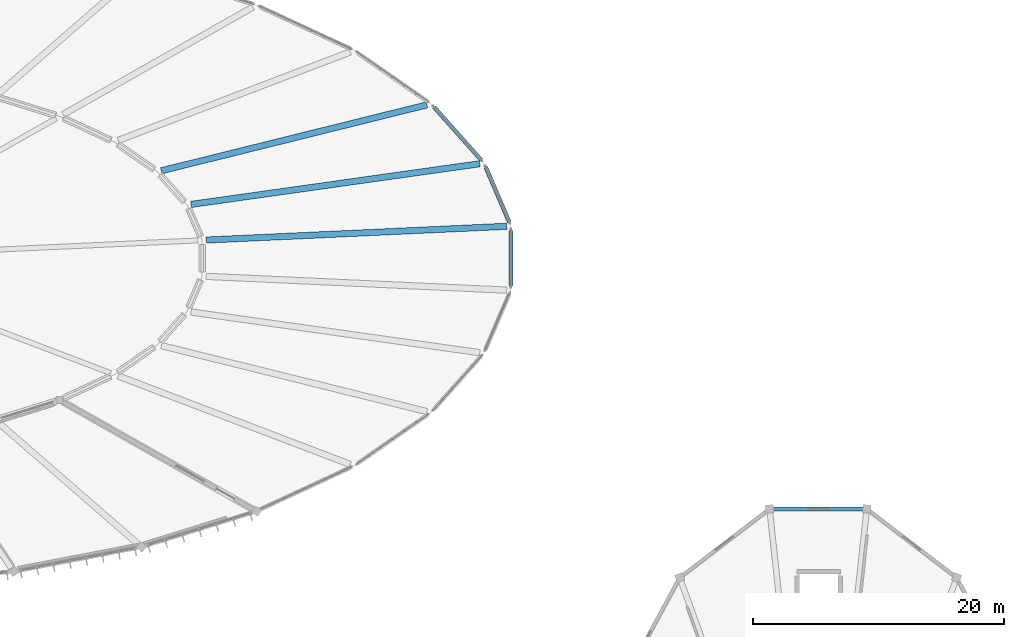
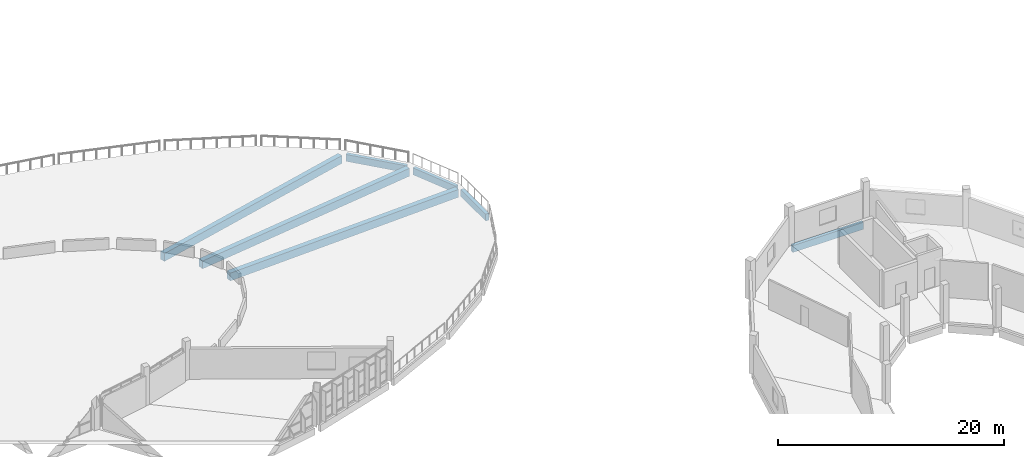
# One storey, part 64 of 142: 7 beams.
"""IFC4 building model written with IfcOpenShell, lengths in metres."""

from ifc_helpers import new_model, si_unit, direction, frame, origin, origin_2d, place, context, subcontext, project, spatial, rectangle, extrude, material, material_profile, profile_set, type_object, element, save


model = new_model("IFC4")

# Units and contexts
model_context = context("Model", 3, precision=1e-05, world=origin(), true_north=direction((0.0, 1.0)))
body_context = subcontext(model_context, "Body", "Model", "MODEL_VIEW")
ifc_project = project(units=[si_unit("LENGTHUNIT", "METRE"), si_unit("AREAUNIT", "SQUARE_METRE"), si_unit("VOLUMEUNIT", "CUBIC_METRE"), si_unit("PLANEANGLEUNIT", "RADIAN"), si_unit("MASSUNIT", "GRAM", prefix="KILO")], contexts=[model_context])

# Site, building, storey
site_placement = place(None, origin())
site = spatial("IfcSite", under=ifc_project, at=site_placement, CompositionType="ELEMENT")
building_placement = place(site_placement, origin())
building = spatial("IfcBuilding", under=site, at=building_placement, Name="Corvandel Quay Wholesale Market", CompositionType="ELEMENT")
storey_placement = place(building_placement, frame((0.0, 0.0, 10.800048828125)))
storey = spatial("IfcBuildingStorey", under=building, at=storey_placement, Name="L02", CompositionType="ELEMENT", Elevation=10.800048828125)

# Beams
ifc_material = material(Name="Precast concrete C45/55", Category="concrete")
ifc_material_profile_1 = material_profile(ifc_material, rectangle(XDim=0.5, YDim=0.85009765625, at=origin_2d()), Name="PC-GIR-500x850")
ifc_profile_set_1 = profile_set([ifc_material_profile_1], Name="Precast concrete C45/55")
beam_type_1 = type_object("IfcBeamType", Name="Fish Hall Radial Girder G04 500x850", PredefinedType="USERDEFINED", material=ifc_profile_set_1)
beam_1_placement = place(storey_placement, frame((169.655517578125, 118.545166015625, -0.7451171875), z_axis=(-0.998955516786, -0.04569327612, 0.0), x_axis=(0.04569327612, -0.998955516786, 0.0)))
element("IfcBeam", 1, at=beam_1_placement, inside=storey, type_object=beam_type_1, Name="Beam BM-0528", ObjectType="GIRDER", PredefinedType="USERDEFINED", context=body_context, shape_type="SweptSolid", body=[
    extrude(rectangle(XDim=0.5, YDim=0.85009765625, at=origin_2d()), origin(), (0.0, 0.0, 1.0), 24.0009765625),
])
beam_2_placement = place(storey_placement, frame((167.50634765625, 123.535888671875, -0.7451171875), z_axis=(-0.990225913062, -0.139472725293, 0.0), x_axis=(0.139472725293, -0.990225913062, 0.0)))
element("IfcBeam", 2, at=beam_2_placement, inside=storey, type_object=beam_type_1, Name="Beam BM-0535", ObjectType="GIRDER", PredefinedType="USERDEFINED", context=body_context, shape_type="SweptSolid", body=[
    extrude(rectangle(XDim=0.5, YDim=0.85009765625, at=origin_2d()), origin(), (0.0, 0.0, 1.0), 23.26171875),
])
beam_3_placement = place(storey_placement, frame((163.292236328125, 128.23291015625, -0.7451171875), z_axis=(-0.970560046858, -0.240859285566, 0.0), x_axis=(0.240859285566, -0.970560046858, 0.0)))
element("IfcBeam", 3, at=beam_3_placement, inside=storey, type_object=beam_type_1, Name="Beam BM-0542", ObjectType="GIRDER", PredefinedType="USERDEFINED", context=body_context, shape_type="SweptSolid", body=[
    extrude(rectangle(XDim=0.5, YDim=0.85009765625, at=origin_2d()), origin(), (0.0, 0.0, 1.0), 21.83349609375),
])
ifc_material_profile_2 = material_profile(ifc_material, rectangle(XDim=0.320068359375, YDim=0.75, at=origin_2d()), Name="PC-SPN-320x750")
ifc_profile_set_2 = profile_set([ifc_material_profile_2], Name="Precast concrete C45/55")
beam_type_2 = type_object("IfcBeamType", Name="Pavilion Precast Spandrel SP02 320x750", PredefinedType="SPANDREL", material=ifc_profile_set_2)
beam_4_placement = place(storey_placement, frame((169.864013671875, 118.878173828125, -0.695068359375), z_axis=(-0.393789694197, 0.919200563938, 0.0), x_axis=(-0.919200563938, -0.393789694197, 0.0)))
element("IfcBeam", 4, at=beam_4_placement, inside=storey, type_object=beam_type_2, Name="Beam BM-0526", PredefinedType="SPANDREL", context=body_context, shape_type="SweptSolid", body=[
    extrude(rectangle(XDim=0.320068359375, YDim=0.75, at=origin_2d()), origin(), (0.0, 0.0, 1.0), 4.7744140625),
])
beam_5_placement = place(storey_placement, frame((167.618408203125, 123.841552734375, -0.695068359375), z_axis=(-0.665671423717, 0.746244970266, 0.0), x_axis=(-0.746244970266, -0.665671423717, 0.0)))
element("IfcBeam", 5, at=beam_5_placement, inside=storey, type_object=beam_type_2, Name="Beam BM-0533", PredefinedType="SPANDREL", context=body_context, shape_type="SweptSolid", body=[
    extrude(rectangle(XDim=0.320068359375, YDim=0.75, at=origin_2d()), origin(), (0.0, 0.0, 1.0), 5.651123046875),
])
beam_6_placement = place(storey_placement, frame((170.0, 113.783935546875, -0.695068359375), z_axis=(0.0, 1.0, 0.0), x_axis=(-1.0, 0.0, 0.0)))
element("IfcBeam", 6, at=beam_6_placement, inside=storey, type_object=beam_type_2, Name="Beam BM-0758", PredefinedType="SPANDREL", context=body_context, shape_type="SweptSolid", body=[
    extrude(rectangle(XDim=0.320068359375, YDim=0.75, at=origin_2d()), origin(), (0.0, 0.0, 1.0), 4.43212890625),
])
beam_7_placement = place(storey_placement, frame((198.10888671875, 96.0, -0.594970703125), z_axis=(-1.0, 0.0, 0.0), x_axis=(0.0, -1.0, 0.0)))
element("IfcBeam", 7, at=beam_7_placement, inside=storey, type_object=beam_type_2, Name="Beam BM-0803", PredefinedType="SPANDREL", context=body_context, shape_type="SweptSolid", body=[
    extrude(rectangle(XDim=0.320068359375, YDim=0.75, at=origin_2d()), origin(), (0.0, 0.0, 1.0), 7.2177734375),
])

save(model, "model.ifc")
